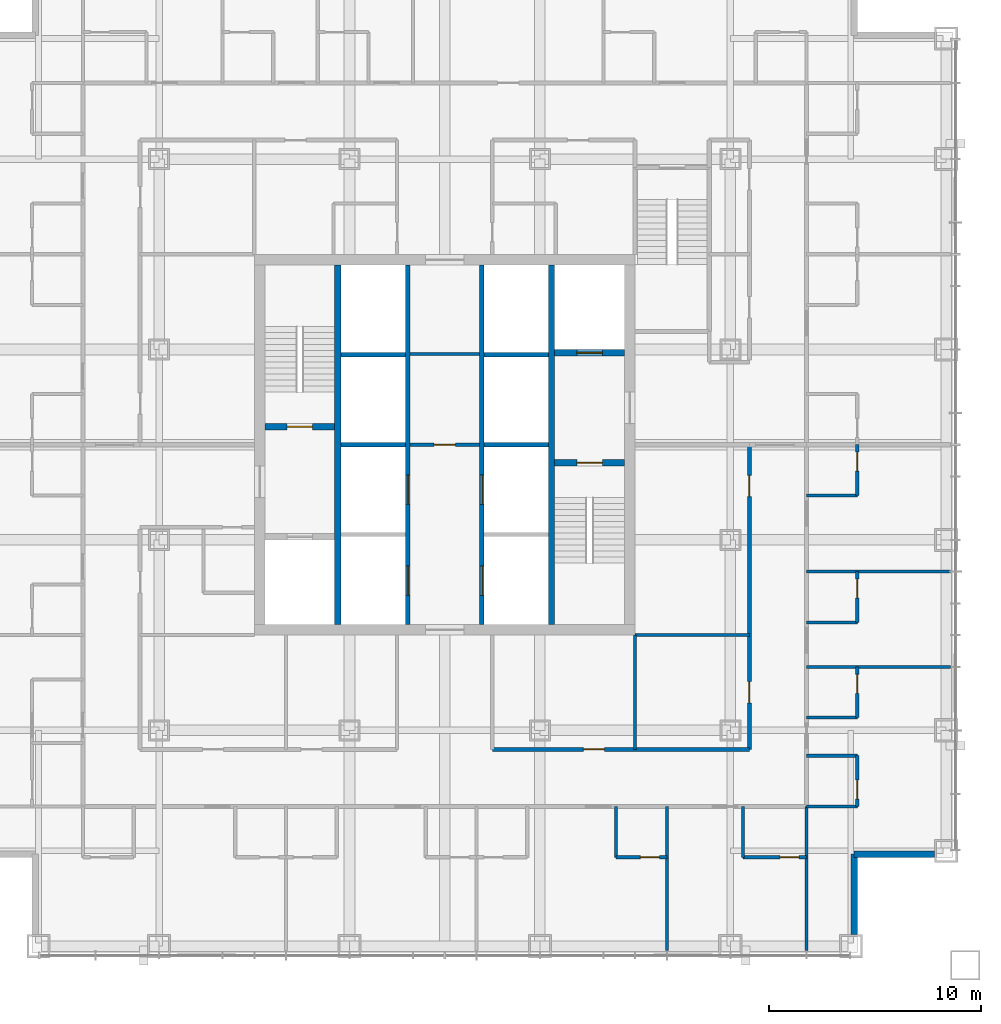
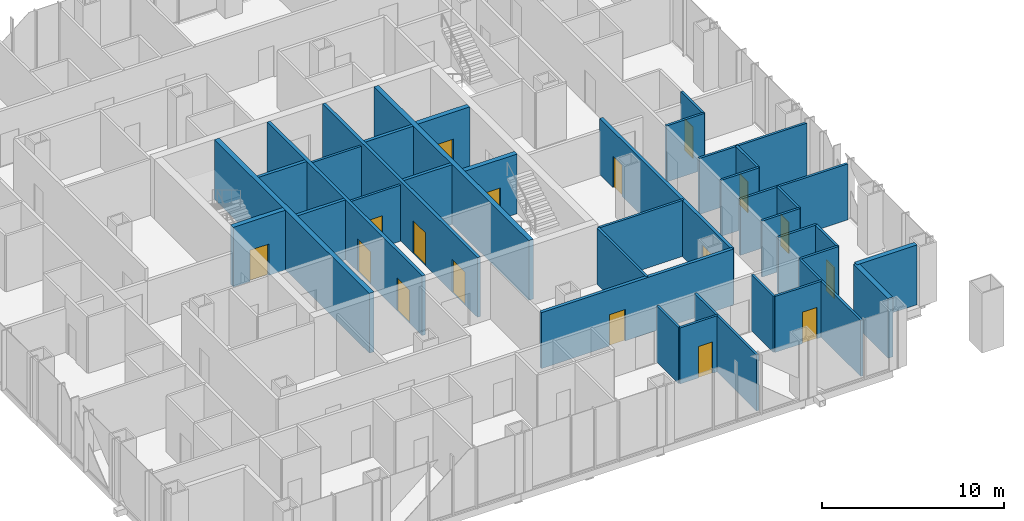
# One storey, part 10 of 16: 36 walls, 17 doors, 17 openings.
"""IFC4 building model written with IfcOpenShell, lengths in metres."""

from ifc_helpers import new_model, si_unit, direction, frame, frame_2d, origin, place, context, subcontext, project, spatial, rectangle, extrude, material, layer, layer_set, type_object, element, fill, save


model = new_model("IFC4")

# Units and contexts
model_context = context("Model", 3, precision=1e-05, world=origin(), true_north=direction((0.0, 1.0)))
body_context = subcontext(model_context, "Body", "Model", "MODEL_VIEW")
ifc_project = project(units=[si_unit("LENGTHUNIT", "METRE"), si_unit("AREAUNIT", "SQUARE_METRE"), si_unit("VOLUMEUNIT", "CUBIC_METRE"), si_unit("PLANEANGLEUNIT", "RADIAN"), si_unit("MASSUNIT", "GRAM", prefix="KILO")], contexts=[model_context])

# Site, building, storey
site_placement = place(None, origin())
site = spatial("IfcSite", under=ifc_project, at=site_placement, CompositionType="ELEMENT")
building_placement = place(site_placement, origin())
building = spatial("IfcBuilding", under=site, at=building_placement, Name="Malebo Sky Hospital", CompositionType="ELEMENT")
storey_placement = place(building_placement, frame((0.0, 0.0, 108.0)))
storey = spatial("IfcBuildingStorey", under=building, at=storey_placement, Name="L25", CompositionType="ELEMENT", Elevation=108.0)

# Wall, openings, doors
ifc_material_1 = material(Name="Concrete C80/95", Category="concrete")
ifc_layer_1 = layer(ifc_material_1, 0.199951171875)
ifc_layer_set_1 = layer_set([ifc_layer_1], Name="CORE INNER WALL 200")
wall_type_1 = type_object("IfcWallType", Name="CORE INNER WALL 200", PredefinedType="SHEAR", material=ifc_layer_set_1)
wall_1_placement = place(storey_placement, frame((58.25, 53.5, 0.0), z_axis=(0.0, 0.0, 1.0), x_axis=(0.0, 1.0, 0.0)))
wall_1 = element("IfcWall", 1, at=wall_1_placement, inside=storey, type_object=wall_type_1, Name="Core wall LW L25", PredefinedType="SHEAR", context=body_context, shape_type="SweptSolid", body=[
    extrude(rectangle(XDim=17.0, YDim=0.199951171875, at=frame_2d((8.5, 0.0))), origin(), (0.0, 0.0, 1.0), 4.0),
])
opening_1_placement = place(wall_1_placement, frame((1.375, 0.0, 0.0)))
opening_1 = element("IfcOpeningElement", 2, at=opening_1_placement, cuts=wall_1, Name="Opening LD1", PredefinedType="OPENING", context=body_context, shape_type="SweptSolid", body=[
    extrude(rectangle(XDim=1.39990234375, YDim=2.199951171875, at=frame_2d((0.699951171875, 1.10009765625))), frame((0.0, 0.10986328125, 0.0), z_axis=(0.0, -1.0, 0.0), x_axis=(1.0, 0.0, 0.0)), (0.0, 0.0, 1.0), 0.219970703125),
])
opening_2_placement = place(wall_1_placement, frame((5.675048828125, 0.0, 0.0)))
opening_2 = element("IfcOpeningElement", 3, at=opening_2_placement, cuts=wall_1, Name="Opening LD1", PredefinedType="OPENING", context=body_context, shape_type="SweptSolid", body=[
    extrude(rectangle(XDim=1.39990234375, YDim=2.199951171875, at=frame_2d((0.699951171875, 1.10009765625))), frame((0.0, 0.10986328125, 0.0), z_axis=(0.0, -1.0, 0.0), x_axis=(1.0, 0.0, 0.0)), (0.0, 0.0, 1.0), 0.219970703125),
])
ifc_material_2 = material(Name="Stainless steel sliding landing door", Category="steel")
door_type_1 = type_object("IfcDoorType", Name="LIFT LANDING DOOR 1400", OperationType="SLIDING_TO_LEFT", PredefinedType="DOOR", material=ifc_material_2)
door_1_placement = place(opening_1_placement, origin())
door_1 = element("IfcDoor", 4, at=door_1_placement, inside=storey, type_object=door_type_1, Name="Lift W1 landing door", OperationType="SLIDING_TO_LEFT", OverallHeight=2.199951171875, OverallWidth=1.39990234375, PredefinedType="DOOR", context=body_context, shape_type="SweptSolid", body=[
    extrude(rectangle(XDim=1.39990234375, YDim=2.199951171875, at=frame_2d((0.699951171875, 1.10009765625))), frame((0.0, 0.02490234375, 0.0), z_axis=(0.0, -1.0, 0.0), x_axis=(1.0, 0.0, 0.0)), (0.0, 0.0, 1.0), 0.050048828125),
])
fill(opening_1, door_1)
door_2_placement = place(opening_2_placement, origin())
door_2 = element("IfcDoor", 5, at=door_2_placement, inside=storey, type_object=door_type_1, Name="Lift W2 landing door", OperationType="SLIDING_TO_LEFT", OverallHeight=2.199951171875, OverallWidth=1.39990234375, PredefinedType="DOOR", context=body_context, shape_type="SweptSolid", body=[
    extrude(rectangle(XDim=1.39990234375, YDim=2.199951171875, at=frame_2d((0.699951171875, 1.10009765625))), frame((0.0, 0.02490234375, 0.0), z_axis=(0.0, -1.0, 0.0), x_axis=(1.0, 0.0, 0.0)), (0.0, 0.0, 1.0), 0.050048828125),
])
fill(opening_2, door_2)

wall_2_placement = place(storey_placement, frame((61.75, 53.5, 0.0), z_axis=(0.0, 0.0, 1.0), x_axis=(0.0, 1.0, 0.0)))
wall_2 = element("IfcWall", 6, at=wall_2_placement, inside=storey, type_object=wall_type_1, Name="Core wall LE L25", PredefinedType="SHEAR", context=body_context, shape_type="SweptSolid", body=[
    extrude(rectangle(XDim=17.0, YDim=0.199951171875, at=frame_2d((8.5, 0.0))), origin(), (0.0, 0.0, 1.0), 4.0),
])
opening_3_placement = place(wall_2_placement, frame((1.375, 0.0, 0.0)))
opening_3 = element("IfcOpeningElement", 7, at=opening_3_placement, cuts=wall_2, Name="Opening LD1", PredefinedType="OPENING", context=body_context, shape_type="SweptSolid", body=[
    extrude(rectangle(XDim=1.39990234375, YDim=2.199951171875, at=frame_2d((0.699951171875, 1.10009765625))), frame((0.0, 0.10986328125, 0.0), z_axis=(0.0, -1.0, 0.0), x_axis=(1.0, 0.0, 0.0)), (0.0, 0.0, 1.0), 0.219970703125),
])
opening_4_placement = place(wall_2_placement, frame((5.675048828125, 0.0, 0.0)))
opening_4 = element("IfcOpeningElement", 8, at=opening_4_placement, cuts=wall_2, Name="Opening LD1", PredefinedType="OPENING", context=body_context, shape_type="SweptSolid", body=[
    extrude(rectangle(XDim=1.39990234375, YDim=2.199951171875, at=frame_2d((0.699951171875, 1.10009765625))), frame((0.0, 0.10986328125, 0.0), z_axis=(0.0, -1.0, 0.0), x_axis=(1.0, 0.0, 0.0)), (0.0, 0.0, 1.0), 0.219970703125),
])
door_3_placement = place(opening_3_placement, origin())
door_3 = element("IfcDoor", 9, at=door_3_placement, inside=storey, type_object=door_type_1, Name="Lift E1 landing door", OperationType="SLIDING_TO_LEFT", OverallHeight=2.199951171875, OverallWidth=1.39990234375, PredefinedType="DOOR", context=body_context, shape_type="SweptSolid", body=[
    extrude(rectangle(XDim=1.39990234375, YDim=2.199951171875, at=frame_2d((0.699951171875, 1.10009765625))), frame((0.0, 0.02490234375, 0.0), z_axis=(0.0, -1.0, 0.0), x_axis=(1.0, 0.0, 0.0)), (0.0, 0.0, 1.0), 0.050048828125),
])
fill(opening_3, door_3)
door_4_placement = place(opening_4_placement, origin())
door_4 = element("IfcDoor", 10, at=door_4_placement, inside=storey, type_object=door_type_1, Name="Lift E2 landing door", OperationType="SLIDING_TO_LEFT", OverallHeight=2.199951171875, OverallWidth=1.39990234375, PredefinedType="DOOR", context=body_context, shape_type="SweptSolid", body=[
    extrude(rectangle(XDim=1.39990234375, YDim=2.199951171875, at=frame_2d((0.699951171875, 1.10009765625))), frame((0.0, 0.02490234375, 0.0), z_axis=(0.0, -1.0, 0.0), x_axis=(1.0, 0.0, 0.0)), (0.0, 0.0, 1.0), 0.050048828125),
])
fill(opening_4, door_4)

# Walls
for number, where, z_axis, x_axis, name in (
    (11, (55.10009765625, 62.0, 0.0), (0.0, 0.0, 1.0), (1.0, 0.0, 0.0), "Core wall SW1 L25"),
    (12, (61.85009765625, 62.0, 0.0), (0.0, 0.0, 1.0), (1.0, 0.0, 0.0), "Core wall SE1 L25"),
    (13, (55.10009765625, 66.25, 0.0), (0.0, 0.0, 1.0), (1.0, 0.0, 0.0), "Core wall SW2 L25"),
    (14, (61.85009765625, 66.25, 0.0), (0.0, 0.0, 1.0), (1.0, 0.0, 0.0), "Core wall SE2 L25"),
):
    element("IfcWall", number, at=place(storey_placement, frame(where, z_axis=z_axis, x_axis=x_axis)), inside=storey, type_object=wall_type_1, Name=name, PredefinedType="SHEAR", context=body_context, shape_type="SweptSolid", body=[
        extrude(rectangle(XDim=3.0498046875, YDim=0.199951171875, at=frame_2d((1.52490234375, 0.0))), origin(), (0.0, 0.0, 1.0), 4.0),
    ])
ifc_layer_2 = layer(ifc_material_1, 0.300048828125)
ifc_layer_set_2 = layer_set([ifc_layer_2], Name="CORE INNER WALL 300")
wall_type_2 = type_object("IfcWallType", Name="CORE INNER WALL 300", PredefinedType="SHEAR", material=ifc_layer_set_2)
for number, where, z_axis, x_axis, name in (
    (15, (54.949951171875, 53.5, 0.0), (0.0, 0.0, 1.0), (0.0, 1.0, 0.0), "Core wall XW L25"),
    (16, (65.050048828125, 53.5, 0.0), (0.0, 0.0, 1.0), (0.0, 1.0, 0.0), "Core wall XE L25"),
):
    element("IfcWall", number, at=place(storey_placement, frame(where, z_axis=z_axis, x_axis=x_axis)), inside=storey, type_object=wall_type_2, Name=name, PredefinedType="SHEAR", context=body_context, shape_type="SweptSolid", body=[
        extrude(rectangle(XDim=17.0, YDim=0.300048828125, at=frame_2d((8.5, 0.0))), origin(), (0.0, 0.0, 1.0), 4.0),
    ])

# Wall, opening, door
wall_3_placement = place(storey_placement, frame((51.5, 62.85009765625, 0.0), z_axis=(0.0, 0.0, 1.0), x_axis=(1.0, 0.0, 0.0)))
wall_3 = element("IfcWall", 17, at=wall_3_placement, inside=storey, type_object=wall_type_2, Name="Core wall W1 L25", PredefinedType="SHEAR", context=body_context, shape_type="SweptSolid", body=[
    extrude(rectangle(XDim=3.300048828125, YDim=0.300048828125, at=frame_2d((1.64990234375, 0.0))), origin(), (0.0, 0.0, 1.0), 4.0),
])
opening_5_placement = place(wall_3_placement, frame((1.050048828125, 0.0, 0.0)))
opening_5 = element("IfcOpeningElement", 18, at=opening_5_placement, cuts=wall_3, Name="Opening D08", PredefinedType="OPENING", context=body_context, shape_type="SweptSolid", body=[
    extrude(rectangle(XDim=1.199951171875, YDim=2.10009765625, at=frame_2d((0.60009765625, 1.050048828125))), frame((0.0, 0.159912109375, 0.0), z_axis=(0.0, -1.0, 0.0), x_axis=(1.0, 0.0, 0.0)), (0.0, 0.0, 1.0), 0.320068359375),
])
ifc_material_3 = material(Name="Hardwood-faced door leaf in steel frame", Category="steel")
door_type_2 = type_object("IfcDoorType", Name="STAIR DOOR 1200", OperationType="SINGLE_SWING_LEFT", PredefinedType="DOOR", material=ifc_material_3)
door_5_placement = place(opening_5_placement, origin())
door_5 = element("IfcDoor", 19, at=door_5_placement, inside=storey, type_object=door_type_2, Name="Stair S1 door", OperationType="SINGLE_SWING_LEFT", OverallHeight=2.10009765625, OverallWidth=1.199951171875, PredefinedType="DOOR", context=body_context, shape_type="SweptSolid", body=[
    extrude(rectangle(XDim=1.199951171875, YDim=2.10009765625, at=frame_2d((0.60009765625, 1.050048828125))), frame((0.0, 0.02490234375, 0.0), z_axis=(0.0, -1.0, 0.0), x_axis=(1.0, 0.0, 0.0)), (0.0, 0.0, 1.0), 0.050048828125),
])
fill(opening_5, door_5)

wall_4_placement = place(storey_placement, frame((65.199951171875, 61.14990234375, 0.0), z_axis=(0.0, 0.0, 1.0), x_axis=(1.0, 0.0, 0.0)))
wall_4 = element("IfcWall", 20, at=wall_4_placement, inside=storey, type_object=wall_type_2, Name="Core wall E1 L25", PredefinedType="SHEAR", context=body_context, shape_type="SweptSolid", body=[
    extrude(rectangle(XDim=3.300048828125, YDim=0.300048828125, at=frame_2d((1.64990234375, 0.0))), origin(), (0.0, 0.0, 1.0), 4.0),
])
opening_6_placement = place(wall_4_placement, frame((1.050048828125, 0.0, 0.0)))
opening_6 = element("IfcOpeningElement", 21, at=opening_6_placement, cuts=wall_4, Name="Opening D08", PredefinedType="OPENING", context=body_context, shape_type="SweptSolid", body=[
    extrude(rectangle(XDim=1.199951171875, YDim=2.10009765625, at=frame_2d((0.60009765625, 1.050048828125))), frame((0.0, 0.159912109375, 0.0), z_axis=(0.0, -1.0, 0.0), x_axis=(1.0, 0.0, 0.0)), (0.0, 0.0, 1.0), 0.320068359375),
])
door_6_placement = place(opening_6_placement, origin())
door_6 = element("IfcDoor", 22, at=door_6_placement, inside=storey, type_object=door_type_2, Name="Stair S2 door", OperationType="SINGLE_SWING_LEFT", OverallHeight=2.10009765625, OverallWidth=1.199951171875, PredefinedType="DOOR", context=body_context, shape_type="SweptSolid", body=[
    extrude(rectangle(XDim=1.199951171875, YDim=2.10009765625, at=frame_2d((0.60009765625, 1.050048828125))), frame((0.0, 0.02490234375, 0.0), z_axis=(0.0, -1.0, 0.0), x_axis=(1.0, 0.0, 0.0)), (0.0, 0.0, 1.0), 0.050048828125),
])
fill(opening_6, door_6)

wall_5_placement = place(storey_placement, frame((65.199951171875, 66.35009765625, 0.0), z_axis=(0.0, 0.0, 1.0), x_axis=(1.0, 0.0, 0.0)))
wall_5 = element("IfcWall", 23, at=wall_5_placement, inside=storey, type_object=wall_type_2, Name="Core wall E2 L25", PredefinedType="SHEAR", context=body_context, shape_type="SweptSolid", body=[
    extrude(rectangle(XDim=3.300048828125, YDim=0.300048828125, at=frame_2d((1.64990234375, 0.0))), origin(), (0.0, 0.0, 1.0), 4.0),
])
opening_7_placement = place(wall_5_placement, frame((1.050048828125, 0.0, 0.0)))
opening_7 = element("IfcOpeningElement", 24, at=opening_7_placement, cuts=wall_5, Name="Opening LD2", PredefinedType="OPENING", context=body_context, shape_type="SweptSolid", body=[
    extrude(rectangle(XDim=1.199951171875, YDim=2.199951171875, at=frame_2d((0.60009765625, 1.10009765625))), frame((0.0, 0.159912109375, 0.0), z_axis=(0.0, -1.0, 0.0), x_axis=(1.0, 0.0, 0.0)), (0.0, 0.0, 1.0), 0.320068359375),
])
door_type_3 = type_object("IfcDoorType", Name="FIRE-FIGHTING LIFT LANDING DOOR 1200", OperationType="SLIDING_TO_LEFT", PredefinedType="DOOR", material=ifc_material_2)
door_7_placement = place(opening_7_placement, origin())
door_7 = element("IfcDoor", 25, at=door_7_placement, inside=storey, type_object=door_type_3, Name="Lift FL2 landing door", OperationType="SLIDING_TO_LEFT", OverallHeight=2.199951171875, OverallWidth=1.199951171875, PredefinedType="DOOR", context=body_context, shape_type="SweptSolid", body=[
    extrude(rectangle(XDim=1.199951171875, YDim=2.199951171875, at=frame_2d((0.60009765625, 1.10009765625))), frame((0.0, 0.02490234375, 0.0), z_axis=(0.0, -1.0, 0.0), x_axis=(1.0, 0.0, 0.0)), (0.0, 0.0, 1.0), 0.050048828125),
])
fill(opening_7, door_7)

ifc_material_4 = material(Name="Gypsum board on steel studs", Category="steel")
ifc_layer_3 = layer(ifc_material_4, 0.199951171875)
ifc_layer_set_3 = layer_set([ifc_layer_3], Name="CORRIDOR WALL 200")
wall_type_3 = type_object("IfcWallType", Name="CORRIDOR WALL 200", PredefinedType="PARTITIONING", material=ifc_layer_set_3)
wall_6_placement = place(storey_placement, frame((74.39990234375, 47.60009765625, 0.0), z_axis=(0.0, 0.0, 1.0), x_axis=(-1.0, 0.0, 0.0)))
wall_6 = element("IfcWall", 26, at=wall_6_placement, inside=storey, type_object=wall_type_3, Name="Corridor Wall 200 SCI1", PredefinedType="PARTITIONING", context=body_context, shape_type="SweptSolid", body=[
    extrude(rectangle(XDim=12.14990234375, YDim=0.199951171875, at=frame_2d((6.074951171875, 0.0))), origin(), (0.0, 0.0, 1.0), 3.75),
])
opening_8_placement = place(wall_6_placement, frame((6.85009765625, 0.0, 0.0)))
opening_8 = element("IfcOpeningElement", 27, at=opening_8_placement, cuts=wall_6, Name="Opening D03", PredefinedType="OPENING", context=body_context, shape_type="SweptSolid", body=[
    extrude(rectangle(XDim=1.0, YDim=2.10009765625, at=frame_2d((0.5, 1.050048828125))), frame((0.0, 0.10986328125, 0.0), z_axis=(0.0, -1.0, 0.0), x_axis=(1.0, 0.0, 0.0)), (0.0, 0.0, 1.0), 0.219970703125),
])
door_type_4 = type_object("IfcDoorType", Name="ROOM DOOR 1000", OperationType="SINGLE_SWING_LEFT", PredefinedType="DOOR", material=ifc_material_3)
door_8_placement = place(opening_8_placement, origin())
door_8 = element("IfcDoor", 28, at=door_8_placement, inside=storey, type_object=door_type_4, Name="Ward pantry door", OperationType="SINGLE_SWING_LEFT", OverallHeight=2.10009765625, OverallWidth=1.0, PredefinedType="DOOR", context=body_context, shape_type="SweptSolid", body=[
    extrude(rectangle(XDim=1.0, YDim=2.10009765625, at=frame_2d((0.5, 1.050048828125))), frame((0.0, 0.02490234375, 0.0), z_axis=(0.0, -1.0, 0.0), x_axis=(1.0, 0.0, 0.0)), (0.0, 0.0, 1.0), 0.050048828125),
])
fill(opening_8, door_8)

# Wall, openings, doors
wall_7_placement = place(storey_placement, frame((74.39990234375, 62.0, 0.0), z_axis=(0.0, 0.0, 1.0), x_axis=(0.0, -1.0, 0.0)))
wall_7 = element("IfcWall", 29, at=wall_7_placement, inside=storey, type_object=wall_type_3, Name="Corridor Wall 200 ECI2", PredefinedType="PARTITIONING", context=body_context, shape_type="SweptSolid", body=[
    extrude(rectangle(XDim=14.39990234375, YDim=0.199951171875, at=frame_2d((7.199951171875, 0.0))), origin(), (0.0, 0.0, 1.0), 3.75),
])
opening_9_placement = place(wall_7_placement, frame((1.449951171875, 0.0, 0.0)))
opening_9 = element("IfcOpeningElement", 30, at=opening_9_placement, cuts=wall_7, Name="Opening D03", PredefinedType="OPENING", context=body_context, shape_type="SweptSolid", body=[
    extrude(rectangle(XDim=1.0, YDim=2.10009765625, at=frame_2d((0.5, 1.050048828125))), frame((0.0, 0.10986328125, 0.0), z_axis=(0.0, -1.0, 0.0), x_axis=(1.0, 0.0, 0.0)), (0.0, 0.0, 1.0), 0.219970703125),
])
opening_10_placement = place(wall_7_placement, frame((11.199951171875, 0.0, 0.0)))
opening_10 = element("IfcOpeningElement", 31, at=opening_10_placement, cuts=wall_7, Name="Opening D03", PredefinedType="OPENING", context=body_context, shape_type="SweptSolid", body=[
    extrude(rectangle(XDim=1.0, YDim=2.10009765625, at=frame_2d((0.5, 1.050048828125))), frame((0.0, 0.10986328125, 0.0), z_axis=(0.0, -1.0, 0.0), x_axis=(1.0, 0.0, 0.0)), (0.0, 0.0, 1.0), 0.219970703125),
])
door_9_placement = place(opening_9_placement, origin())
door_9 = element("IfcDoor", 32, at=door_9_placement, inside=storey, type_object=door_type_4, Name="Staff rest room door", OperationType="SINGLE_SWING_LEFT", OverallHeight=2.10009765625, OverallWidth=1.0, PredefinedType="DOOR", context=body_context, shape_type="SweptSolid", body=[
    extrude(rectangle(XDim=1.0, YDim=2.10009765625, at=frame_2d((0.5, 1.050048828125))), frame((0.0, 0.02490234375, 0.0), z_axis=(0.0, -1.0, 0.0), x_axis=(1.0, 0.0, 0.0)), (0.0, 0.0, 1.0), 0.050048828125),
])
fill(opening_9, door_9)
door_10_placement = place(opening_10_placement, origin())
door_10 = element("IfcDoor", 33, at=door_10_placement, inside=storey, type_object=door_type_4, Name="Dirty utility room door", OperationType="SINGLE_SWING_RIGHT", OverallHeight=2.10009765625, OverallWidth=1.0, PredefinedType="DOOR", context=body_context, shape_type="SweptSolid", body=[
    extrude(rectangle(XDim=1.0, YDim=2.10009765625, at=frame_2d((0.5, 1.050048828125))), frame((0.0, 0.02490234375, 0.0), z_axis=(0.0, -1.0, 0.0), x_axis=(1.0, 0.0, 0.0)), (0.0, 0.0, 1.0), 0.050048828125),
])
fill(opening_10, door_10)

# Walls
ifc_material_5 = material(Name="Anodised aluminium rainscreen on steel framing", Category="steel")
ifc_layer_4 = layer(ifc_material_5, 0.300048828125)
ifc_layer_set_4 = layer_set([ifc_layer_4], Name="NOTCH RAINSCREEN WALL 300")
wall_type_4 = type_object("IfcWallType", Name="NOTCH RAINSCREEN WALL 300", PredefinedType="ELEMENTEDWALL", material=ifc_layer_set_4)
for number, where, z_axis, x_axis, name in (
    (34, (83.14990234375, 42.64990234375, 0.0), (0.0, 0.0, 1.0), (-1.0, 0.0, 0.0), "Notch rainscreen wall E1 L25"),
    (35, (79.35009765625, 42.64990234375, 0.0), (0.0, 0.0, 1.0), (0.0, -1.0, 0.0), "Notch rainscreen wall E2 L25"),
):
    element("IfcWall", number, at=place(storey_placement, frame(where, z_axis=z_axis, x_axis=x_axis)), inside=storey, type_object=wall_type_4, Name=name, PredefinedType="ELEMENTEDWALL", context=body_context, shape_type="SweptSolid", body=[
        extrude(rectangle(XDim=3.7998046875, YDim=0.300048828125, at=frame_2d((1.89990234375, 0.0))), origin(), (0.0, 0.0, 1.0), 4.0),
    ])
ifc_layer_5 = layer(ifc_material_4, 0.14990234375)
ifc_layer_set_5 = layer_set([ifc_layer_5], Name="PARTITION 150")
wall_type_5 = type_object("IfcWallType", Name="PARTITION 150", PredefinedType="PARTITIONING", material=ifc_layer_set_5)
for number, where, z_axis, x_axis, name in (
    (36, (70.5, 44.89990234375, 0.0), (0.0, 0.0, 1.0), (0.0, -1.0, 0.0), "Partition 150 SP-10.5"),
    (37, (77.10009765625, 44.89990234375, 0.0), (0.0, 0.0, 1.0), (0.0, -1.0, 0.0), "Partition 150 SP0"),
):
    element("IfcWall", number, at=place(storey_placement, frame(where, z_axis=z_axis, x_axis=x_axis)), inside=storey, type_object=wall_type_5, Name=name, PredefinedType="PARTITIONING", context=body_context, shape_type="SweptSolid", body=[
        extrude(rectangle(XDim=6.809814453125, YDim=0.14990234375, at=frame_2d((3.40478515625, 0.0))), origin(), (0.0, 0.0, 1.0), 3.75),
    ])

# Wall, opening, door
wall_8_placement = place(storey_placement, frame((77.10009765625, 42.5, 0.0), z_axis=(0.0, 0.0, 1.0), x_axis=(-1.0, 0.0, 0.0)))
wall_8 = element("IfcWall", 38, at=wall_8_placement, inside=storey, type_object=wall_type_5, Name="Partition 150 SE0F", PredefinedType="PARTITIONING", context=body_context, shape_type="SweptSolid", body=[
    extrude(rectangle(XDim=3.0, YDim=0.14990234375, at=frame_2d((1.5, 0.0))), origin(), (0.0, 0.0, 1.0), 3.75),
])
opening_11_placement = place(wall_8_placement, frame((0.35009765625, 0.0, 0.0)))
opening_11 = element("IfcOpeningElement", 39, at=opening_11_placement, cuts=wall_8, Name="Opening D02", PredefinedType="OPENING", context=body_context, shape_type="SweptSolid", body=[
    extrude(rectangle(XDim=0.89990234375, YDim=2.10009765625, at=frame_2d((0.449951171875, 1.050048828125))), frame((0.0, 0.0849609375, 0.0), z_axis=(0.0, -1.0, 0.0), x_axis=(1.0, 0.0, 0.0)), (0.0, 0.0, 1.0), 0.169921875),
])
door_type_5 = type_object("IfcDoorType", Name="EN-SUITE DOOR 900", OperationType="SINGLE_SWING_LEFT", PredefinedType="DOOR", material=ifc_material_3)
door_11_placement = place(opening_11_placement, origin())
door_11 = element("IfcDoor", 40, at=door_11_placement, inside=storey, type_object=door_type_5, Name="En-suite door", OperationType="SINGLE_SWING_LEFT", OverallHeight=2.10009765625, OverallWidth=0.89990234375, PredefinedType="DOOR", context=body_context, shape_type="SweptSolid", body=[
    extrude(rectangle(XDim=0.89990234375, YDim=2.10009765625, at=frame_2d((0.449951171875, 1.050048828125))), frame((0.0, 0.02490234375, 0.0), z_axis=(0.0, -1.0, 0.0), x_axis=(1.0, 0.0, 0.0)), (0.0, 0.0, 1.0), 0.050048828125),
])
fill(opening_11, door_11)

# Wall
wall_9_placement = place(storey_placement, frame((74.10009765625, 44.89990234375, 0.0), z_axis=(0.0, 0.0, 1.0), x_axis=(0.0, -1.0, 0.0)))
element("IfcWall", 41, at=wall_9_placement, inside=storey, type_object=wall_type_5, Name="Partition 150 SE0S", PredefinedType="PARTITIONING", context=body_context, shape_type="SweptSolid", body=[
    extrude(rectangle(XDim=2.39990234375, YDim=0.14990234375, at=frame_2d((1.199951171875, 0.0))), origin(), (0.0, 0.0, 1.0), 3.75),
])

# Wall, opening, door
wall_10_placement = place(storey_placement, frame((70.5, 42.5, 0.0), z_axis=(0.0, 0.0, 1.0), x_axis=(-1.0, 0.0, 0.0)))
wall_10 = element("IfcWall", 42, at=wall_10_placement, inside=storey, type_object=wall_type_5, Name="Partition 150 SE1F", PredefinedType="PARTITIONING", context=body_context, shape_type="SweptSolid", body=[
    extrude(rectangle(XDim=2.39990234375, YDim=0.14990234375, at=frame_2d((1.199951171875, 0.0))), origin(), (0.0, 0.0, 1.0), 3.75),
])
opening_12_placement = place(wall_10_placement, frame((0.35009765625, 0.0, 0.0)))
opening_12 = element("IfcOpeningElement", 43, at=opening_12_placement, cuts=wall_10, Name="Opening D02", PredefinedType="OPENING", context=body_context, shape_type="SweptSolid", body=[
    extrude(rectangle(XDim=0.89990234375, YDim=2.10009765625, at=frame_2d((0.449951171875, 1.050048828125))), frame((0.0, 0.0849609375, 0.0), z_axis=(0.0, -1.0, 0.0), x_axis=(1.0, 0.0, 0.0)), (0.0, 0.0, 1.0), 0.169921875),
])
door_12_placement = place(opening_12_placement, origin())
door_12 = element("IfcDoor", 44, at=door_12_placement, inside=storey, type_object=door_type_5, Name="En-suite door", OperationType="SINGLE_SWING_LEFT", OverallHeight=2.10009765625, OverallWidth=0.89990234375, PredefinedType="DOOR", context=body_context, shape_type="SweptSolid", body=[
    extrude(rectangle(XDim=0.89990234375, YDim=2.10009765625, at=frame_2d((0.449951171875, 1.050048828125))), frame((0.0, 0.02490234375, 0.0), z_axis=(0.0, -1.0, 0.0), x_axis=(1.0, 0.0, 0.0)), (0.0, 0.0, 1.0), 0.050048828125),
])
fill(opening_12, door_12)

# Walls
wall_11_placement = place(storey_placement, frame((68.10009765625, 44.89990234375, 0.0), z_axis=(0.0, 0.0, 1.0), x_axis=(0.0, -1.0, 0.0)))
element("IfcWall", 45, at=wall_11_placement, inside=storey, type_object=wall_type_5, Name="Partition 150 SE1S", PredefinedType="PARTITIONING", context=body_context, shape_type="SweptSolid", body=[
    extrude(rectangle(XDim=2.39990234375, YDim=0.14990234375, at=frame_2d((1.199951171875, 0.0))), origin(), (0.0, 0.0, 1.0), 3.75),
])
wall_12_placement = place(storey_placement, frame((69.0, 53.0, 0.0), z_axis=(0.0, 0.0, 1.0), x_axis=(0.0, -1.0, 0.0)))
element("IfcWall", 46, at=wall_12_placement, inside=storey, type_object=wall_type_5, Name="Partition 150 SSP0", PredefinedType="PARTITIONING", context=body_context, shape_type="SweptSolid", body=[
    extrude(rectangle(XDim=5.39990234375, YDim=0.14990234375, at=frame_2d((2.699951171875, 0.0))), origin(), (0.0, 0.0, 1.0), 3.75),
])
for number, where, z_axis, x_axis, name in (
    (47, (77.10009765625, 56.0, 0.0), (0.0, 0.0, 1.0), (1.0, 0.0, 0.0), "Partition 150 EP+6.0"),
    (48, (77.10009765625, 51.5, 0.0), (0.0, 0.0, 1.0), (1.0, 0.0, 0.0), "Partition 150 EP+10.5"),
):
    element("IfcWall", number, at=place(storey_placement, frame(where, z_axis=z_axis, x_axis=x_axis)), inside=storey, type_object=wall_type_5, Name=name, PredefinedType="PARTITIONING", context=body_context, shape_type="SweptSolid", body=[
        extrude(rectangle(XDim=6.809814453125, YDim=0.14990234375, at=frame_2d((3.40478515625, 0.0))), origin(), (0.0, 0.0, 1.0), 3.75),
    ])

# Wall, opening, door
wall_13_placement = place(storey_placement, frame((79.5, 62.0, 0.0), z_axis=(0.0, 0.0, 1.0), x_axis=(0.0, -1.0, 0.0)))
wall_13 = element("IfcWall", 49, at=wall_13_placement, inside=storey, type_object=wall_type_5, Name="Partition 150 EE2F", PredefinedType="PARTITIONING", context=body_context, shape_type="SweptSolid", body=[
    extrude(rectangle(XDim=2.39990234375, YDim=0.14990234375, at=frame_2d((1.199951171875, 0.0))), origin(), (0.0, 0.0, 1.0), 3.75),
])
opening_13_placement = place(wall_13_placement, frame((0.35009765625, 0.0, 0.0)))
opening_13 = element("IfcOpeningElement", 50, at=opening_13_placement, cuts=wall_13, Name="Opening D02", PredefinedType="OPENING", context=body_context, shape_type="SweptSolid", body=[
    extrude(rectangle(XDim=0.89990234375, YDim=2.10009765625, at=frame_2d((0.449951171875, 1.050048828125))), frame((0.0, 0.0849609375, 0.0), z_axis=(0.0, -1.0, 0.0), x_axis=(1.0, 0.0, 0.0)), (0.0, 0.0, 1.0), 0.169921875),
])
door_13_placement = place(opening_13_placement, origin())
door_13 = element("IfcDoor", 51, at=door_13_placement, inside=storey, type_object=door_type_5, Name="En-suite door", OperationType="SINGLE_SWING_LEFT", OverallHeight=2.10009765625, OverallWidth=0.89990234375, PredefinedType="DOOR", context=body_context, shape_type="SweptSolid", body=[
    extrude(rectangle(XDim=0.89990234375, YDim=2.10009765625, at=frame_2d((0.449951171875, 1.050048828125))), frame((0.0, 0.02490234375, 0.0), z_axis=(0.0, -1.0, 0.0), x_axis=(1.0, 0.0, 0.0)), (0.0, 0.0, 1.0), 0.050048828125),
])
fill(opening_13, door_13)

# Wall
wall_14_placement = place(storey_placement, frame((77.10009765625, 59.60009765625, 0.0), z_axis=(0.0, 0.0, 1.0), x_axis=(1.0, 0.0, 0.0)))
element("IfcWall", 52, at=wall_14_placement, inside=storey, type_object=wall_type_5, Name="Partition 150 EE2S", PredefinedType="PARTITIONING", context=body_context, shape_type="SweptSolid", body=[
    extrude(rectangle(XDim=2.39990234375, YDim=0.14990234375, at=frame_2d((1.199951171875, 0.0))), origin(), (0.0, 0.0, 1.0), 3.75),
])

# Wall, opening, door
wall_15_placement = place(storey_placement, frame((79.5, 56.0, 0.0), z_axis=(0.0, 0.0, 1.0), x_axis=(0.0, -1.0, 0.0)))
wall_15 = element("IfcWall", 53, at=wall_15_placement, inside=storey, type_object=wall_type_5, Name="Partition 150 EE3F", PredefinedType="PARTITIONING", context=body_context, shape_type="SweptSolid", body=[
    extrude(rectangle(XDim=2.39990234375, YDim=0.14990234375, at=frame_2d((1.199951171875, 0.0))), origin(), (0.0, 0.0, 1.0), 3.75),
])
opening_14_placement = place(wall_15_placement, frame((0.35009765625, 0.0, 0.0)))
opening_14 = element("IfcOpeningElement", 54, at=opening_14_placement, cuts=wall_15, Name="Opening D02", PredefinedType="OPENING", context=body_context, shape_type="SweptSolid", body=[
    extrude(rectangle(XDim=0.89990234375, YDim=2.10009765625, at=frame_2d((0.449951171875, 1.050048828125))), frame((0.0, 0.0849609375, 0.0), z_axis=(0.0, -1.0, 0.0), x_axis=(1.0, 0.0, 0.0)), (0.0, 0.0, 1.0), 0.169921875),
])
door_14_placement = place(opening_14_placement, origin())
door_14 = element("IfcDoor", 55, at=door_14_placement, inside=storey, type_object=door_type_5, Name="En-suite door", OperationType="SINGLE_SWING_LEFT", OverallHeight=2.10009765625, OverallWidth=0.89990234375, PredefinedType="DOOR", context=body_context, shape_type="SweptSolid", body=[
    extrude(rectangle(XDim=0.89990234375, YDim=2.10009765625, at=frame_2d((0.449951171875, 1.050048828125))), frame((0.0, 0.02490234375, 0.0), z_axis=(0.0, -1.0, 0.0), x_axis=(1.0, 0.0, 0.0)), (0.0, 0.0, 1.0), 0.050048828125),
])
fill(opening_14, door_14)

# Wall
wall_16_placement = place(storey_placement, frame((77.10009765625, 53.60009765625, 0.0), z_axis=(0.0, 0.0, 1.0), x_axis=(1.0, 0.0, 0.0)))
element("IfcWall", 56, at=wall_16_placement, inside=storey, type_object=wall_type_5, Name="Partition 150 EE3S", PredefinedType="PARTITIONING", context=body_context, shape_type="SweptSolid", body=[
    extrude(rectangle(XDim=2.39990234375, YDim=0.14990234375, at=frame_2d((1.199951171875, 0.0))), origin(), (0.0, 0.0, 1.0), 3.75),
])

# Wall, opening, door
wall_17_placement = place(storey_placement, frame((79.5, 51.5, 0.0), z_axis=(0.0, 0.0, 1.0), x_axis=(0.0, -1.0, 0.0)))
wall_17 = element("IfcWall", 57, at=wall_17_placement, inside=storey, type_object=wall_type_5, Name="Partition 150 EE4F", PredefinedType="PARTITIONING", context=body_context, shape_type="SweptSolid", body=[
    extrude(rectangle(XDim=2.39990234375, YDim=0.14990234375, at=frame_2d((1.199951171875, 0.0))), origin(), (0.0, 0.0, 1.0), 3.75),
])
opening_15_placement = place(wall_17_placement, frame((0.35009765625, 0.0, 0.0)))
opening_15 = element("IfcOpeningElement", 58, at=opening_15_placement, cuts=wall_17, Name="Opening D02", PredefinedType="OPENING", context=body_context, shape_type="SweptSolid", body=[
    extrude(rectangle(XDim=0.89990234375, YDim=2.10009765625, at=frame_2d((0.449951171875, 1.050048828125))), frame((0.0, 0.0849609375, 0.0), z_axis=(0.0, -1.0, 0.0), x_axis=(1.0, 0.0, 0.0)), (0.0, 0.0, 1.0), 0.169921875),
])
door_15_placement = place(opening_15_placement, origin())
door_15 = element("IfcDoor", 59, at=door_15_placement, inside=storey, type_object=door_type_5, Name="En-suite door", OperationType="SINGLE_SWING_LEFT", OverallHeight=2.10009765625, OverallWidth=0.89990234375, PredefinedType="DOOR", context=body_context, shape_type="SweptSolid", body=[
    extrude(rectangle(XDim=0.89990234375, YDim=2.10009765625, at=frame_2d((0.449951171875, 1.050048828125))), frame((0.0, 0.02490234375, 0.0), z_axis=(0.0, -1.0, 0.0), x_axis=(1.0, 0.0, 0.0)), (0.0, 0.0, 1.0), 0.050048828125),
])
fill(opening_15, door_15)

# Wall
wall_18_placement = place(storey_placement, frame((77.10009765625, 49.10009765625, 0.0), z_axis=(0.0, 0.0, 1.0), x_axis=(1.0, 0.0, 0.0)))
element("IfcWall", 60, at=wall_18_placement, inside=storey, type_object=wall_type_5, Name="Partition 150 EE4S", PredefinedType="PARTITIONING", context=body_context, shape_type="SweptSolid", body=[
    extrude(rectangle(XDim=2.39990234375, YDim=0.14990234375, at=frame_2d((1.199951171875, 0.0))), origin(), (0.0, 0.0, 1.0), 3.75),
])

# Wall, opening, door
wall_19_placement = place(storey_placement, frame((79.5, 47.300048828125, 0.0), z_axis=(0.0, 0.0, 1.0), x_axis=(0.0, -1.0, 0.0)))
wall_19 = element("IfcWall", 61, at=wall_19_placement, inside=storey, type_object=wall_type_5, Name="Partition 150 EG4F", PredefinedType="PARTITIONING", context=body_context, shape_type="SweptSolid", body=[
    extrude(rectangle(XDim=2.400146484375, YDim=0.14990234375, at=frame_2d((1.2001953125, 0.0))), origin(), (0.0, 0.0, 1.0), 3.75),
])
opening_16_placement = place(wall_19_placement, frame((1.14990234375, 0.0, 0.0)))
opening_16 = element("IfcOpeningElement", 62, at=opening_16_placement, cuts=wall_19, Name="Opening D02", PredefinedType="OPENING", context=body_context, shape_type="SweptSolid", body=[
    extrude(rectangle(XDim=0.89990234375, YDim=2.10009765625, at=frame_2d((0.449951171875, 1.050048828125))), frame((0.0, 0.0849609375, 0.0), z_axis=(0.0, -1.0, 0.0), x_axis=(1.0, 0.0, 0.0)), (0.0, 0.0, 1.0), 0.169921875),
])
door_16_placement = place(opening_16_placement, origin())
door_16 = element("IfcDoor", 63, at=door_16_placement, inside=storey, type_object=door_type_5, Name="En-suite door", OperationType="SINGLE_SWING_RIGHT", OverallHeight=2.10009765625, OverallWidth=0.89990234375, PredefinedType="DOOR", context=body_context, shape_type="SweptSolid", body=[
    extrude(rectangle(XDim=0.89990234375, YDim=2.10009765625, at=frame_2d((0.449951171875, 1.050048828125))), frame((0.0, 0.02490234375, 0.0), z_axis=(0.0, -1.0, 0.0), x_axis=(1.0, 0.0, 0.0)), (0.0, 0.0, 1.0), 0.050048828125),
])
fill(opening_16, door_16)

# Walls
for number, where, z_axis, x_axis, name in (
    (64, (77.10009765625, 47.300048828125, 0.0), (0.0, 0.0, 1.0), (1.0, 0.0, 0.0), "Partition 150 EG4S"),
    (65, (77.10009765625, 44.89990234375, 0.0), (0.0, 0.0, 1.0), (1.0, 0.0, 0.0), "Partition 150 EEZ"),
):
    element("IfcWall", number, at=place(storey_placement, frame(where, z_axis=z_axis, x_axis=x_axis)), inside=storey, type_object=wall_type_5, Name=name, PredefinedType="PARTITIONING", context=body_context, shape_type="SweptSolid", body=[
        extrude(rectangle(XDim=2.39990234375, YDim=0.14990234375, at=frame_2d((1.199951171875, 0.0))), origin(), (0.0, 0.0, 1.0), 3.75),
    ])
wall_20_placement = place(storey_placement, frame((69.0, 53.0, 0.0), z_axis=(0.0, 0.0, 1.0), x_axis=(1.0, 0.0, 0.0)))
element("IfcWall", 66, at=wall_20_placement, inside=storey, type_object=wall_type_5, Name="Partition 150 ESP+9.0", PredefinedType="PARTITIONING", context=body_context, shape_type="SweptSolid", body=[
    extrude(rectangle(XDim=5.39990234375, YDim=0.14990234375, at=frame_2d((2.699951171875, 0.0))), origin(), (0.0, 0.0, 1.0), 3.75),
])

# Wall, opening, door
wall_21_placement = place(storey_placement, frame((58.35009765625, 62.0, 0.0), z_axis=(0.0, 0.0, 1.0), x_axis=(1.0, 0.0, 0.0)))
wall_21 = element("IfcWall", 67, at=wall_21_placement, inside=storey, type_object=wall_type_5, Name="Partition 150 LBN", PredefinedType="PARTITIONING", context=body_context, shape_type="SweptSolid", body=[
    extrude(rectangle(XDim=3.2998046875, YDim=0.14990234375, at=frame_2d((1.64990234375, 0.0))), origin(), (0.0, 0.0, 1.0), 3.75),
])
opening_17_placement = place(wall_21_placement, frame((1.14990234375, 0.0, 0.0)))
opening_17 = element("IfcOpeningElement", 68, at=opening_17_placement, cuts=wall_21, Name="Opening D03", PredefinedType="OPENING", context=body_context, shape_type="SweptSolid", body=[
    extrude(rectangle(XDim=1.0, YDim=2.10009765625, at=frame_2d((0.5, 1.050048828125))), frame((0.0, 0.0849609375, 0.0), z_axis=(0.0, -1.0, 0.0), x_axis=(1.0, 0.0, 0.0)), (0.0, 0.0, 1.0), 0.169921875),
])
door_17_placement = place(opening_17_placement, origin())
door_17 = element("IfcDoor", 69, at=door_17_placement, inside=storey, type_object=door_type_4, Name="Pantry store door", OperationType="SINGLE_SWING_LEFT", OverallHeight=2.10009765625, OverallWidth=1.0, PredefinedType="DOOR", context=body_context, shape_type="SweptSolid", body=[
    extrude(rectangle(XDim=1.0, YDim=2.10009765625, at=frame_2d((0.5, 1.050048828125))), frame((0.0, 0.02490234375, 0.0), z_axis=(0.0, -1.0, 0.0), x_axis=(1.0, 0.0, 0.0)), (0.0, 0.0, 1.0), 0.050048828125),
])
fill(opening_17, door_17)

# Wall
wall_22_placement = place(storey_placement, frame((58.35009765625, 66.28759765625, 0.0), z_axis=(0.0, 0.0, 1.0), x_axis=(1.0, 0.0, 0.0)))
element("IfcWall", 70, at=wall_22_placement, inside=storey, type_object=wall_type_5, Name="Partition 150 LBN1", PredefinedType="PARTITIONING", context=body_context, shape_type="SweptSolid", body=[
    extrude(rectangle(XDim=3.2998046875, YDim=0.14990234375, at=frame_2d((1.64990234375, 0.0))), origin(), (0.0, 0.0, 1.0), 3.75),
])

save(model, "model.ifc")
